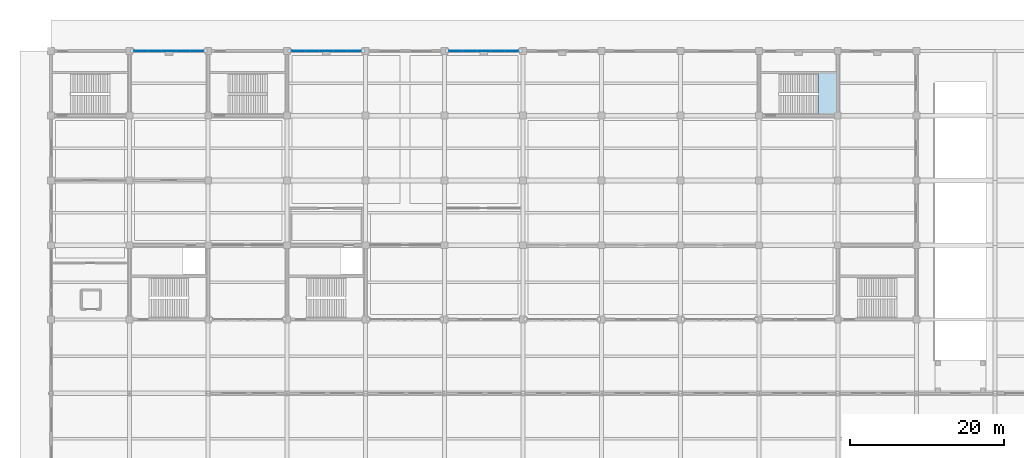
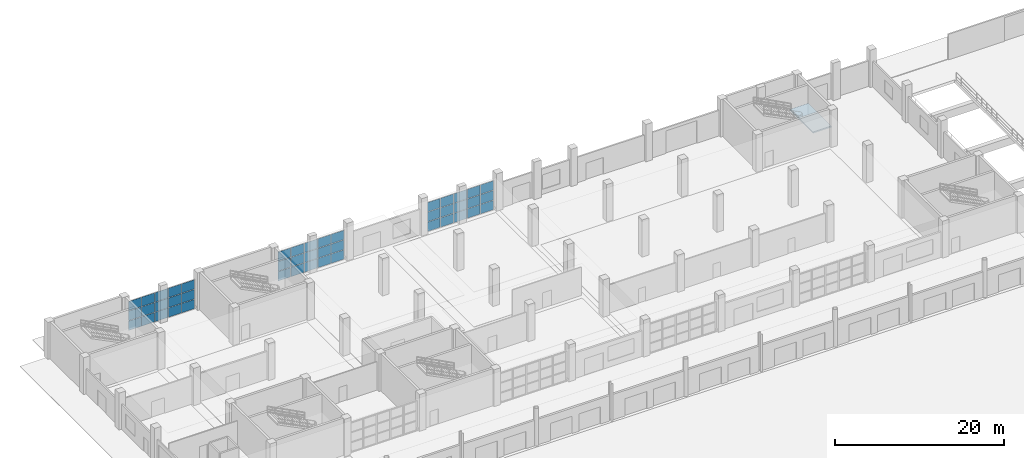
# One storey, part 80 of 124: 45 plates, 1 slab, 4 elements without a shape of their own.
"""IFC4 building model written with IfcOpenShell, lengths in metres."""

from ifc_helpers import new_model, si_unit, direction, frame, origin, origin_2d, place, context, subcontext, project, spatial, polyline, rectangle, outline, extrude, material, layer, layer_set, type_object, element, aggregate, save


model = new_model("IFC4")

# Units and contexts
model_context = context("Model", 3, precision=1e-05, world=origin(), true_north=direction((0.0, 1.0)))
body_context = subcontext(model_context, "Body", "Model", "MODEL_VIEW")
ifc_project = project(units=[si_unit("LENGTHUNIT", "METRE"), si_unit("AREAUNIT", "SQUARE_METRE"), si_unit("VOLUMEUNIT", "CUBIC_METRE"), si_unit("PLANEANGLEUNIT", "RADIAN"), si_unit("MASSUNIT", "GRAM", prefix="KILO")], contexts=[model_context])

# Site, building, storey
site_placement = place(None, origin())
site = spatial("IfcSite", under=ifc_project, at=site_placement, CompositionType="ELEMENT")
building_placement = place(site_placement, origin())
building = spatial("IfcBuilding", under=site, at=building_placement, Name="Brelvane Convention Centre", CompositionType="ELEMENT")
storey_placement = place(building_placement, origin())
storey = spatial("IfcBuildingStorey", under=building, at=storey_placement, Name="L00", CompositionType="ELEMENT", Elevation=0.0)

# Curtain wall, plates
ifc_material_1 = material(Name="Anodised Aluminium Alloy 6063-T6", Category="aluminium")
curtain_wall_type = type_object("IfcCurtainWallType", Name="Curtain Wall CW-BOUL", PredefinedType="USERDEFINED", material=ifc_material_1)
curtain_wall_1_placement = place(storey_placement, origin())
curtain_wall_1 = element("IfcCurtainWall", 1, at=curtain_wall_1_placement, inside=storey, type_object=curtain_wall_type, Name="Curtain Wall CW-BOUL L00-V4N-02", ObjectType="UNITISED", PredefinedType="USERDEFINED")
ifc_material_2 = material(Name="Double Glazed Low-E Laminated Unit")
ifc_layer_1 = layer(ifc_material_2, 0.0380859375)
ifc_layer_set_1 = layer_set([ifc_layer_1], Name="Double Glazed Low-E Laminated Unit")
plate_type = type_object("IfcPlateType", Name="Curtain Panel CW-PG2", PredefinedType="CURTAIN_PANEL", material=ifc_layer_set_1)
plate_1_placement = place(storey_placement, frame((11.67626953125, 144.0, 0.06005859375), z_axis=(0.0, 0.0, 1.0), x_axis=(1.0, 0.0, 0.0)))
plate_1 = element("IfcPlate", 2, at=plate_1_placement, type_object=plate_type, Name="CW-BOUL panel 1.1", PredefinedType="CURTAIN_PANEL", context=body_context, shape_type="SweptSolid", body=[
    extrude(rectangle(XDim=1.722412109375, YDim=0.0380859375, at=origin_2d()), origin(), (0.0, 0.0, 1.0), 1.34326171875),
])
plate_2_placement = place(storey_placement, frame((11.67626953125, 144.0, 1.46337890625), z_axis=(0.0, 0.0, 1.0), x_axis=(1.0, 0.0, 0.0)))
plate_2 = element("IfcPlate", 3, at=plate_2_placement, type_object=plate_type, Name="CW-BOUL panel 1.2", PredefinedType="CURTAIN_PANEL", context=body_context, shape_type="SweptSolid", body=[
    extrude(rectangle(XDim=1.722412109375, YDim=0.0380859375, at=origin_2d()), origin(), (0.0, 0.0, 1.0), 1.373291015625),
])
plate_3_placement = place(storey_placement, frame((11.67626953125, 144.0, 2.896728515625), z_axis=(0.0, 0.0, 1.0), x_axis=(1.0, 0.0, 0.0)))
plate_3 = element("IfcPlate", 4, at=plate_3_placement, type_object=plate_type, Name="CW-BOUL panel 1.3", PredefinedType="CURTAIN_PANEL", context=body_context, shape_type="SweptSolid", body=[
    extrude(rectangle(XDim=1.722412109375, YDim=0.0380859375, at=origin_2d()), origin(), (0.0, 0.0, 1.0), 1.34326171875),
])
plate_4_placement = place(storey_placement, frame((13.47998046875, 144.0, 0.06005859375), z_axis=(0.0, 0.0, 1.0), x_axis=(1.0, 0.0, 0.0)))
plate_4 = element("IfcPlate", 5, at=plate_4_placement, type_object=plate_type, Name="CW-BOUL panel 2.1", PredefinedType="CURTAIN_PANEL", context=body_context, shape_type="SweptSolid", body=[
    extrude(rectangle(XDim=1.7548828125, YDim=0.0380859375, at=origin_2d()), origin(), (0.0, 0.0, 1.0), 1.34326171875),
])
plate_5_placement = place(storey_placement, frame((13.47998046875, 144.0, 1.46337890625), z_axis=(0.0, 0.0, 1.0), x_axis=(1.0, 0.0, 0.0)))
plate_5 = element("IfcPlate", 6, at=plate_5_placement, type_object=plate_type, Name="CW-BOUL panel 2.2", PredefinedType="CURTAIN_PANEL", context=body_context, shape_type="SweptSolid", body=[
    extrude(rectangle(XDim=1.7548828125, YDim=0.0380859375, at=origin_2d()), origin(), (0.0, 0.0, 1.0), 1.373291015625),
])
plate_6_placement = place(storey_placement, frame((13.47998046875, 144.0, 2.896728515625), z_axis=(0.0, 0.0, 1.0), x_axis=(1.0, 0.0, 0.0)))
plate_6 = element("IfcPlate", 7, at=plate_6_placement, type_object=plate_type, Name="CW-BOUL panel 2.3", PredefinedType="CURTAIN_PANEL", context=body_context, shape_type="SweptSolid", body=[
    extrude(rectangle(XDim=1.7548828125, YDim=0.0380859375, at=origin_2d()), origin(), (0.0, 0.0, 1.0), 1.34326171875),
])
plate_7_placement = place(storey_placement, frame((15.300048828125, 144.0, 0.06005859375), z_axis=(0.0, 0.0, 1.0), x_axis=(1.0, 0.0, 0.0)))
plate_7 = element("IfcPlate", 8, at=plate_7_placement, type_object=plate_type, Name="CW-BOUL panel 3.1", PredefinedType="CURTAIN_PANEL", context=body_context, shape_type="SweptSolid", body=[
    extrude(rectangle(XDim=1.7548828125, YDim=0.0380859375, at=origin_2d()), origin(), (0.0, 0.0, 1.0), 1.34326171875),
])
plate_8_placement = place(storey_placement, frame((15.300048828125, 144.0, 1.46337890625), z_axis=(0.0, 0.0, 1.0), x_axis=(1.0, 0.0, 0.0)))
plate_8 = element("IfcPlate", 9, at=plate_8_placement, type_object=plate_type, Name="CW-BOUL panel 3.2", PredefinedType="CURTAIN_PANEL", context=body_context, shape_type="SweptSolid", body=[
    extrude(rectangle(XDim=1.7548828125, YDim=0.0380859375, at=origin_2d()), origin(), (0.0, 0.0, 1.0), 1.373291015625),
])
plate_9_placement = place(storey_placement, frame((15.300048828125, 144.0, 2.896728515625), z_axis=(0.0, 0.0, 1.0), x_axis=(1.0, 0.0, 0.0)))
plate_9 = element("IfcPlate", 10, at=plate_9_placement, type_object=plate_type, Name="CW-BOUL panel 3.3", PredefinedType="CURTAIN_PANEL", context=body_context, shape_type="SweptSolid", body=[
    extrude(rectangle(XDim=1.7548828125, YDim=0.0380859375, at=origin_2d()), origin(), (0.0, 0.0, 1.0), 1.34326171875),
])
plate_10_placement = place(storey_placement, frame((17.1201171875, 144.0, 0.06005859375), z_axis=(0.0, 0.0, 1.0), x_axis=(1.0, 0.0, 0.0)))
plate_10 = element("IfcPlate", 11, at=plate_10_placement, type_object=plate_type, Name="CW-BOUL panel 4.1", PredefinedType="CURTAIN_PANEL", context=body_context, shape_type="SweptSolid", body=[
    extrude(rectangle(XDim=1.7548828125, YDim=0.0380859375, at=origin_2d()), origin(), (0.0, 0.0, 1.0), 1.34326171875),
])
plate_11_placement = place(storey_placement, frame((17.1201171875, 144.0, 1.46337890625), z_axis=(0.0, 0.0, 1.0), x_axis=(1.0, 0.0, 0.0)))
plate_11 = element("IfcPlate", 12, at=plate_11_placement, type_object=plate_type, Name="CW-BOUL panel 4.2", PredefinedType="CURTAIN_PANEL", context=body_context, shape_type="SweptSolid", body=[
    extrude(rectangle(XDim=1.7548828125, YDim=0.0380859375, at=origin_2d()), origin(), (0.0, 0.0, 1.0), 1.373291015625),
])
plate_12_placement = place(storey_placement, frame((17.1201171875, 144.0, 2.896728515625), z_axis=(0.0, 0.0, 1.0), x_axis=(1.0, 0.0, 0.0)))
plate_12 = element("IfcPlate", 13, at=plate_12_placement, type_object=plate_type, Name="CW-BOUL panel 4.3", PredefinedType="CURTAIN_PANEL", context=body_context, shape_type="SweptSolid", body=[
    extrude(rectangle(XDim=1.7548828125, YDim=0.0380859375, at=origin_2d()), origin(), (0.0, 0.0, 1.0), 1.34326171875),
])
plate_13_placement = place(storey_placement, frame((18.923828125, 144.0, 0.06005859375), z_axis=(0.0, 0.0, 1.0), x_axis=(1.0, 0.0, 0.0)))
plate_13 = element("IfcPlate", 14, at=plate_13_placement, type_object=plate_type, Name="CW-BOUL panel 5.1", PredefinedType="CURTAIN_PANEL", context=body_context, shape_type="SweptSolid", body=[
    extrude(rectangle(XDim=1.722412109375, YDim=0.0380859375, at=origin_2d()), origin(), (0.0, 0.0, 1.0), 1.34326171875),
])
plate_14_placement = place(storey_placement, frame((18.923828125, 144.0, 1.46337890625), z_axis=(0.0, 0.0, 1.0), x_axis=(1.0, 0.0, 0.0)))
plate_14 = element("IfcPlate", 15, at=plate_14_placement, type_object=plate_type, Name="CW-BOUL panel 5.2", PredefinedType="CURTAIN_PANEL", context=body_context, shape_type="SweptSolid", body=[
    extrude(rectangle(XDim=1.722412109375, YDim=0.0380859375, at=origin_2d()), origin(), (0.0, 0.0, 1.0), 1.373291015625),
])
plate_15_placement = place(storey_placement, frame((18.923828125, 144.0, 2.896728515625), z_axis=(0.0, 0.0, 1.0), x_axis=(1.0, 0.0, 0.0)))
plate_15 = element("IfcPlate", 16, at=plate_15_placement, type_object=plate_type, Name="CW-BOUL panel 5.3", PredefinedType="CURTAIN_PANEL", context=body_context, shape_type="SweptSolid", body=[
    extrude(rectangle(XDim=1.722412109375, YDim=0.0380859375, at=origin_2d()), origin(), (0.0, 0.0, 1.0), 1.34326171875),
])
aggregate(curtain_wall_1, [plate_1, plate_2, plate_3, plate_4, plate_5, plate_6, plate_7, plate_8, plate_9, plate_10, plate_11, plate_12, plate_13, plate_14, plate_15])

curtain_wall_2_placement = place(storey_placement, origin())
curtain_wall_2 = element("IfcCurtainWall", 17, at=curtain_wall_2_placement, inside=storey, type_object=curtain_wall_type, Name="Curtain Wall CW-BOUL L00-V4N-04", ObjectType="UNITISED", PredefinedType="USERDEFINED")
plate_16_placement = place(storey_placement, frame((32.076171875, 144.0, 0.06005859375), z_axis=(0.0, 0.0, 1.0), x_axis=(1.0, 0.0, 0.0)))
plate_16 = element("IfcPlate", 18, at=plate_16_placement, type_object=plate_type, Name="CW-BOUL panel 1.1", PredefinedType="CURTAIN_PANEL", context=body_context, shape_type="SweptSolid", body=[
    extrude(rectangle(XDim=1.722412109375, YDim=0.0380859375, at=origin_2d()), origin(), (0.0, 0.0, 1.0), 1.34326171875),
])
plate_17_placement = place(storey_placement, frame((32.076171875, 144.0, 1.46337890625), z_axis=(0.0, 0.0, 1.0), x_axis=(1.0, 0.0, 0.0)))
plate_17 = element("IfcPlate", 19, at=plate_17_placement, type_object=plate_type, Name="CW-BOUL panel 1.2", PredefinedType="CURTAIN_PANEL", context=body_context, shape_type="SweptSolid", body=[
    extrude(rectangle(XDim=1.722412109375, YDim=0.0380859375, at=origin_2d()), origin(), (0.0, 0.0, 1.0), 1.373291015625),
])
plate_18_placement = place(storey_placement, frame((32.076171875, 144.0, 2.896728515625), z_axis=(0.0, 0.0, 1.0), x_axis=(1.0, 0.0, 0.0)))
plate_18 = element("IfcPlate", 20, at=plate_18_placement, type_object=plate_type, Name="CW-BOUL panel 1.3", PredefinedType="CURTAIN_PANEL", context=body_context, shape_type="SweptSolid", body=[
    extrude(rectangle(XDim=1.722412109375, YDim=0.0380859375, at=origin_2d()), origin(), (0.0, 0.0, 1.0), 1.34326171875),
])
plate_19_placement = place(storey_placement, frame((33.8798828125, 144.0, 0.06005859375), z_axis=(0.0, 0.0, 1.0), x_axis=(1.0, 0.0, 0.0)))
plate_19 = element("IfcPlate", 21, at=plate_19_placement, type_object=plate_type, Name="CW-BOUL panel 2.1", PredefinedType="CURTAIN_PANEL", context=body_context, shape_type="SweptSolid", body=[
    extrude(rectangle(XDim=1.7548828125, YDim=0.0380859375, at=origin_2d()), origin(), (0.0, 0.0, 1.0), 1.34326171875),
])
plate_20_placement = place(storey_placement, frame((33.8798828125, 144.0, 1.46337890625), z_axis=(0.0, 0.0, 1.0), x_axis=(1.0, 0.0, 0.0)))
plate_20 = element("IfcPlate", 22, at=plate_20_placement, type_object=plate_type, Name="CW-BOUL panel 2.2", PredefinedType="CURTAIN_PANEL", context=body_context, shape_type="SweptSolid", body=[
    extrude(rectangle(XDim=1.7548828125, YDim=0.0380859375, at=origin_2d()), origin(), (0.0, 0.0, 1.0), 1.373291015625),
])
plate_21_placement = place(storey_placement, frame((33.8798828125, 144.0, 2.896728515625), z_axis=(0.0, 0.0, 1.0), x_axis=(1.0, 0.0, 0.0)))
plate_21 = element("IfcPlate", 23, at=plate_21_placement, type_object=plate_type, Name="CW-BOUL panel 2.3", PredefinedType="CURTAIN_PANEL", context=body_context, shape_type="SweptSolid", body=[
    extrude(rectangle(XDim=1.7548828125, YDim=0.0380859375, at=origin_2d()), origin(), (0.0, 0.0, 1.0), 1.34326171875),
])
plate_22_placement = place(storey_placement, frame((35.699951171875, 144.0, 0.06005859375), z_axis=(0.0, 0.0, 1.0), x_axis=(1.0, 0.0, 0.0)))
plate_22 = element("IfcPlate", 24, at=plate_22_placement, type_object=plate_type, Name="CW-BOUL panel 3.1", PredefinedType="CURTAIN_PANEL", context=body_context, shape_type="SweptSolid", body=[
    extrude(rectangle(XDim=1.7548828125, YDim=0.0380859375, at=origin_2d()), origin(), (0.0, 0.0, 1.0), 1.34326171875),
])
plate_23_placement = place(storey_placement, frame((35.699951171875, 144.0, 1.46337890625), z_axis=(0.0, 0.0, 1.0), x_axis=(1.0, 0.0, 0.0)))
plate_23 = element("IfcPlate", 25, at=plate_23_placement, type_object=plate_type, Name="CW-BOUL panel 3.2", PredefinedType="CURTAIN_PANEL", context=body_context, shape_type="SweptSolid", body=[
    extrude(rectangle(XDim=1.7548828125, YDim=0.0380859375, at=origin_2d()), origin(), (0.0, 0.0, 1.0), 1.373291015625),
])
plate_24_placement = place(storey_placement, frame((35.699951171875, 144.0, 2.896728515625), z_axis=(0.0, 0.0, 1.0), x_axis=(1.0, 0.0, 0.0)))
plate_24 = element("IfcPlate", 26, at=plate_24_placement, type_object=plate_type, Name="CW-BOUL panel 3.3", PredefinedType="CURTAIN_PANEL", context=body_context, shape_type="SweptSolid", body=[
    extrude(rectangle(XDim=1.7548828125, YDim=0.0380859375, at=origin_2d()), origin(), (0.0, 0.0, 1.0), 1.34326171875),
])
plate_25_placement = place(storey_placement, frame((37.52001953125, 144.0, 0.06005859375), z_axis=(0.0, 0.0, 1.0), x_axis=(1.0, 0.0, 0.0)))
plate_25 = element("IfcPlate", 27, at=plate_25_placement, type_object=plate_type, Name="CW-BOUL panel 4.1", PredefinedType="CURTAIN_PANEL", context=body_context, shape_type="SweptSolid", body=[
    extrude(rectangle(XDim=1.7548828125, YDim=0.0380859375, at=origin_2d()), origin(), (0.0, 0.0, 1.0), 1.34326171875),
])
plate_26_placement = place(storey_placement, frame((37.52001953125, 144.0, 1.46337890625), z_axis=(0.0, 0.0, 1.0), x_axis=(1.0, 0.0, 0.0)))
plate_26 = element("IfcPlate", 28, at=plate_26_placement, type_object=plate_type, Name="CW-BOUL panel 4.2", PredefinedType="CURTAIN_PANEL", context=body_context, shape_type="SweptSolid", body=[
    extrude(rectangle(XDim=1.7548828125, YDim=0.0380859375, at=origin_2d()), origin(), (0.0, 0.0, 1.0), 1.373291015625),
])
plate_27_placement = place(storey_placement, frame((37.52001953125, 144.0, 2.896728515625), z_axis=(0.0, 0.0, 1.0), x_axis=(1.0, 0.0, 0.0)))
plate_27 = element("IfcPlate", 29, at=plate_27_placement, type_object=plate_type, Name="CW-BOUL panel 4.3", PredefinedType="CURTAIN_PANEL", context=body_context, shape_type="SweptSolid", body=[
    extrude(rectangle(XDim=1.7548828125, YDim=0.0380859375, at=origin_2d()), origin(), (0.0, 0.0, 1.0), 1.34326171875),
])
plate_28_placement = place(storey_placement, frame((39.32373046875, 144.0, 0.06005859375), z_axis=(0.0, 0.0, 1.0), x_axis=(1.0, 0.0, 0.0)))
plate_28 = element("IfcPlate", 30, at=plate_28_placement, type_object=plate_type, Name="CW-BOUL panel 5.1", PredefinedType="CURTAIN_PANEL", context=body_context, shape_type="SweptSolid", body=[
    extrude(rectangle(XDim=1.722412109375, YDim=0.0380859375, at=origin_2d()), origin(), (0.0, 0.0, 1.0), 1.34326171875),
])
plate_29_placement = place(storey_placement, frame((39.32373046875, 144.0, 1.46337890625), z_axis=(0.0, 0.0, 1.0), x_axis=(1.0, 0.0, 0.0)))
plate_29 = element("IfcPlate", 31, at=plate_29_placement, type_object=plate_type, Name="CW-BOUL panel 5.2", PredefinedType="CURTAIN_PANEL", context=body_context, shape_type="SweptSolid", body=[
    extrude(rectangle(XDim=1.722412109375, YDim=0.0380859375, at=origin_2d()), origin(), (0.0, 0.0, 1.0), 1.373291015625),
])
plate_30_placement = place(storey_placement, frame((39.32373046875, 144.0, 2.896728515625), z_axis=(0.0, 0.0, 1.0), x_axis=(1.0, 0.0, 0.0)))
plate_30 = element("IfcPlate", 32, at=plate_30_placement, type_object=plate_type, Name="CW-BOUL panel 5.3", PredefinedType="CURTAIN_PANEL", context=body_context, shape_type="SweptSolid", body=[
    extrude(rectangle(XDim=1.722412109375, YDim=0.0380859375, at=origin_2d()), origin(), (0.0, 0.0, 1.0), 1.34326171875),
])
aggregate(curtain_wall_2, [plate_16, plate_17, plate_18, plate_19, plate_20, plate_21, plate_22, plate_23, plate_24, plate_25, plate_26, plate_27, plate_28, plate_29, plate_30])

curtain_wall_3_placement = place(storey_placement, origin())
curtain_wall_3 = element("IfcCurtainWall", 33, at=curtain_wall_3_placement, inside=storey, type_object=curtain_wall_type, Name="Curtain Wall CW-BOUL L00-V4N-06", ObjectType="UNITISED", PredefinedType="USERDEFINED")
plate_31_placement = place(storey_placement, frame((52.476318359375, 144.0, 0.06005859375), z_axis=(0.0, 0.0, 1.0), x_axis=(1.0, 0.0, 0.0)))
plate_31 = element("IfcPlate", 34, at=plate_31_placement, type_object=plate_type, Name="CW-BOUL panel 1.1", PredefinedType="CURTAIN_PANEL", context=body_context, shape_type="SweptSolid", body=[
    extrude(rectangle(XDim=1.722412109375, YDim=0.0380859375, at=origin_2d()), origin(), (0.0, 0.0, 1.0), 1.34326171875),
])
plate_32_placement = place(storey_placement, frame((52.476318359375, 144.0, 1.46337890625), z_axis=(0.0, 0.0, 1.0), x_axis=(1.0, 0.0, 0.0)))
plate_32 = element("IfcPlate", 35, at=plate_32_placement, type_object=plate_type, Name="CW-BOUL panel 1.2", PredefinedType="CURTAIN_PANEL", context=body_context, shape_type="SweptSolid", body=[
    extrude(rectangle(XDim=1.722412109375, YDim=0.0380859375, at=origin_2d()), origin(), (0.0, 0.0, 1.0), 1.373291015625),
])
plate_33_placement = place(storey_placement, frame((52.476318359375, 144.0, 2.896728515625), z_axis=(0.0, 0.0, 1.0), x_axis=(1.0, 0.0, 0.0)))
plate_33 = element("IfcPlate", 36, at=plate_33_placement, type_object=plate_type, Name="CW-BOUL panel 1.3", PredefinedType="CURTAIN_PANEL", context=body_context, shape_type="SweptSolid", body=[
    extrude(rectangle(XDim=1.722412109375, YDim=0.0380859375, at=origin_2d()), origin(), (0.0, 0.0, 1.0), 1.34326171875),
])
plate_34_placement = place(storey_placement, frame((54.280029296875, 144.0, 0.06005859375), z_axis=(0.0, 0.0, 1.0), x_axis=(1.0, 0.0, 0.0)))
plate_34 = element("IfcPlate", 37, at=plate_34_placement, type_object=plate_type, Name="CW-BOUL panel 2.1", PredefinedType="CURTAIN_PANEL", context=body_context, shape_type="SweptSolid", body=[
    extrude(rectangle(XDim=1.7548828125, YDim=0.0380859375, at=origin_2d()), origin(), (0.0, 0.0, 1.0), 1.34326171875),
])
plate_35_placement = place(storey_placement, frame((54.280029296875, 144.0, 1.46337890625), z_axis=(0.0, 0.0, 1.0), x_axis=(1.0, 0.0, 0.0)))
plate_35 = element("IfcPlate", 38, at=plate_35_placement, type_object=plate_type, Name="CW-BOUL panel 2.2", PredefinedType="CURTAIN_PANEL", context=body_context, shape_type="SweptSolid", body=[
    extrude(rectangle(XDim=1.7548828125, YDim=0.0380859375, at=origin_2d()), origin(), (0.0, 0.0, 1.0), 1.373291015625),
])
plate_36_placement = place(storey_placement, frame((54.280029296875, 144.0, 2.896728515625), z_axis=(0.0, 0.0, 1.0), x_axis=(1.0, 0.0, 0.0)))
plate_36 = element("IfcPlate", 39, at=plate_36_placement, type_object=plate_type, Name="CW-BOUL panel 2.3", PredefinedType="CURTAIN_PANEL", context=body_context, shape_type="SweptSolid", body=[
    extrude(rectangle(XDim=1.7548828125, YDim=0.0380859375, at=origin_2d()), origin(), (0.0, 0.0, 1.0), 1.34326171875),
])
plate_37_placement = place(storey_placement, frame((56.10009765625, 144.0, 0.06005859375), z_axis=(0.0, 0.0, 1.0), x_axis=(1.0, 0.0, 0.0)))
plate_37 = element("IfcPlate", 40, at=plate_37_placement, type_object=plate_type, Name="CW-BOUL panel 3.1", PredefinedType="CURTAIN_PANEL", context=body_context, shape_type="SweptSolid", body=[
    extrude(rectangle(XDim=1.7548828125, YDim=0.0380859375, at=origin_2d()), origin(), (0.0, 0.0, 1.0), 1.34326171875),
])
plate_38_placement = place(storey_placement, frame((56.10009765625, 144.0, 1.46337890625), z_axis=(0.0, 0.0, 1.0), x_axis=(1.0, 0.0, 0.0)))
plate_38 = element("IfcPlate", 41, at=plate_38_placement, type_object=plate_type, Name="CW-BOUL panel 3.2", PredefinedType="CURTAIN_PANEL", context=body_context, shape_type="SweptSolid", body=[
    extrude(rectangle(XDim=1.7548828125, YDim=0.0380859375, at=origin_2d()), origin(), (0.0, 0.0, 1.0), 1.373291015625),
])
plate_39_placement = place(storey_placement, frame((56.10009765625, 144.0, 2.896728515625), z_axis=(0.0, 0.0, 1.0), x_axis=(1.0, 0.0, 0.0)))
plate_39 = element("IfcPlate", 42, at=plate_39_placement, type_object=plate_type, Name="CW-BOUL panel 3.3", PredefinedType="CURTAIN_PANEL", context=body_context, shape_type="SweptSolid", body=[
    extrude(rectangle(XDim=1.7548828125, YDim=0.0380859375, at=origin_2d()), origin(), (0.0, 0.0, 1.0), 1.34326171875),
])
plate_40_placement = place(storey_placement, frame((57.919921875, 144.0, 0.06005859375), z_axis=(0.0, 0.0, 1.0), x_axis=(1.0, 0.0, 0.0)))
plate_40 = element("IfcPlate", 43, at=plate_40_placement, type_object=plate_type, Name="CW-BOUL panel 4.1", PredefinedType="CURTAIN_PANEL", context=body_context, shape_type="SweptSolid", body=[
    extrude(rectangle(XDim=1.7548828125, YDim=0.0380859375, at=origin_2d()), origin(), (0.0, 0.0, 1.0), 1.34326171875),
])
plate_41_placement = place(storey_placement, frame((57.919921875, 144.0, 1.46337890625), z_axis=(0.0, 0.0, 1.0), x_axis=(1.0, 0.0, 0.0)))
plate_41 = element("IfcPlate", 44, at=plate_41_placement, type_object=plate_type, Name="CW-BOUL panel 4.2", PredefinedType="CURTAIN_PANEL", context=body_context, shape_type="SweptSolid", body=[
    extrude(rectangle(XDim=1.7548828125, YDim=0.0380859375, at=origin_2d()), origin(), (0.0, 0.0, 1.0), 1.373291015625),
])
plate_42_placement = place(storey_placement, frame((57.919921875, 144.0, 2.896728515625), z_axis=(0.0, 0.0, 1.0), x_axis=(1.0, 0.0, 0.0)))
plate_42 = element("IfcPlate", 45, at=plate_42_placement, type_object=plate_type, Name="CW-BOUL panel 4.3", PredefinedType="CURTAIN_PANEL", context=body_context, shape_type="SweptSolid", body=[
    extrude(rectangle(XDim=1.7548828125, YDim=0.0380859375, at=origin_2d()), origin(), (0.0, 0.0, 1.0), 1.34326171875),
])
plate_43_placement = place(storey_placement, frame((59.7236328125, 144.0, 0.06005859375), z_axis=(0.0, 0.0, 1.0), x_axis=(1.0, 0.0, 0.0)))
plate_43 = element("IfcPlate", 46, at=plate_43_placement, type_object=plate_type, Name="CW-BOUL panel 5.1", PredefinedType="CURTAIN_PANEL", context=body_context, shape_type="SweptSolid", body=[
    extrude(rectangle(XDim=1.722412109375, YDim=0.0380859375, at=origin_2d()), origin(), (0.0, 0.0, 1.0), 1.34326171875),
])
plate_44_placement = place(storey_placement, frame((59.7236328125, 144.0, 1.46337890625), z_axis=(0.0, 0.0, 1.0), x_axis=(1.0, 0.0, 0.0)))
plate_44 = element("IfcPlate", 47, at=plate_44_placement, type_object=plate_type, Name="CW-BOUL panel 5.2", PredefinedType="CURTAIN_PANEL", context=body_context, shape_type="SweptSolid", body=[
    extrude(rectangle(XDim=1.722412109375, YDim=0.0380859375, at=origin_2d()), origin(), (0.0, 0.0, 1.0), 1.373291015625),
])
plate_45_placement = place(storey_placement, frame((59.7236328125, 144.0, 2.896728515625), z_axis=(0.0, 0.0, 1.0), x_axis=(1.0, 0.0, 0.0)))
plate_45 = element("IfcPlate", 48, at=plate_45_placement, type_object=plate_type, Name="CW-BOUL panel 5.3", PredefinedType="CURTAIN_PANEL", context=body_context, shape_type="SweptSolid", body=[
    extrude(rectangle(XDim=1.722412109375, YDim=0.0380859375, at=origin_2d()), origin(), (0.0, 0.0, 1.0), 1.34326171875),
])
aggregate(curtain_wall_3, [plate_31, plate_32, plate_33, plate_34, plate_35, plate_36, plate_37, plate_38, plate_39, plate_40, plate_41, plate_42, plate_43, plate_44, plate_45])

# Stair, slab
ifc_material_3 = material(Name="Concrete M40", Category="concrete")
stair_type = type_object("IfcStairType", Name="Exit Stair ST-CORE", PredefinedType="HALF_TURN_STAIR", material=ifc_material_3)
stair_placement = place(storey_placement, origin())
stair = element("IfcStair", 49, at=stair_placement, inside=storey, type_object=stair_type, Name="Exit Stair ST-12 (L00 to L01)", PredefinedType="HALF_TURN_STAIR")
ifc_material_4 = material(Name="Concrete M40", Category="concrete")
ifc_layer_2 = layer(ifc_material_4, 0.199951171875)
ifc_layer_set_2 = layer_set([ifc_layer_2], Name="Concrete M40")
slab_type = type_object("IfcSlabType", Name="Stair Landing SL-LND-200", PredefinedType="LANDING", material=ifc_layer_set_2)
slab_placement = place(storey_placement, frame((0.0, 0.0, 2.5)))
slab = element("IfcSlab", 50, at=slab_placement, type_object=slab_type, Name="Stair ST-12 L00 Half Landing", PredefinedType="LANDING", context=body_context, shape_type="SweptSolid", body=[
    extrude(outline(polyline([(99.419921875, 135.679931640625), (101.919921875, 135.679931640625), (101.919921875, 141.1201171875), (99.419921875, 141.1201171875), (99.419921875, 135.679931640625)])), origin(), (0.0, 0.0, 1.0), 0.199951171875),
])
aggregate(stair, [slab])

save(model, "model.ifc")
